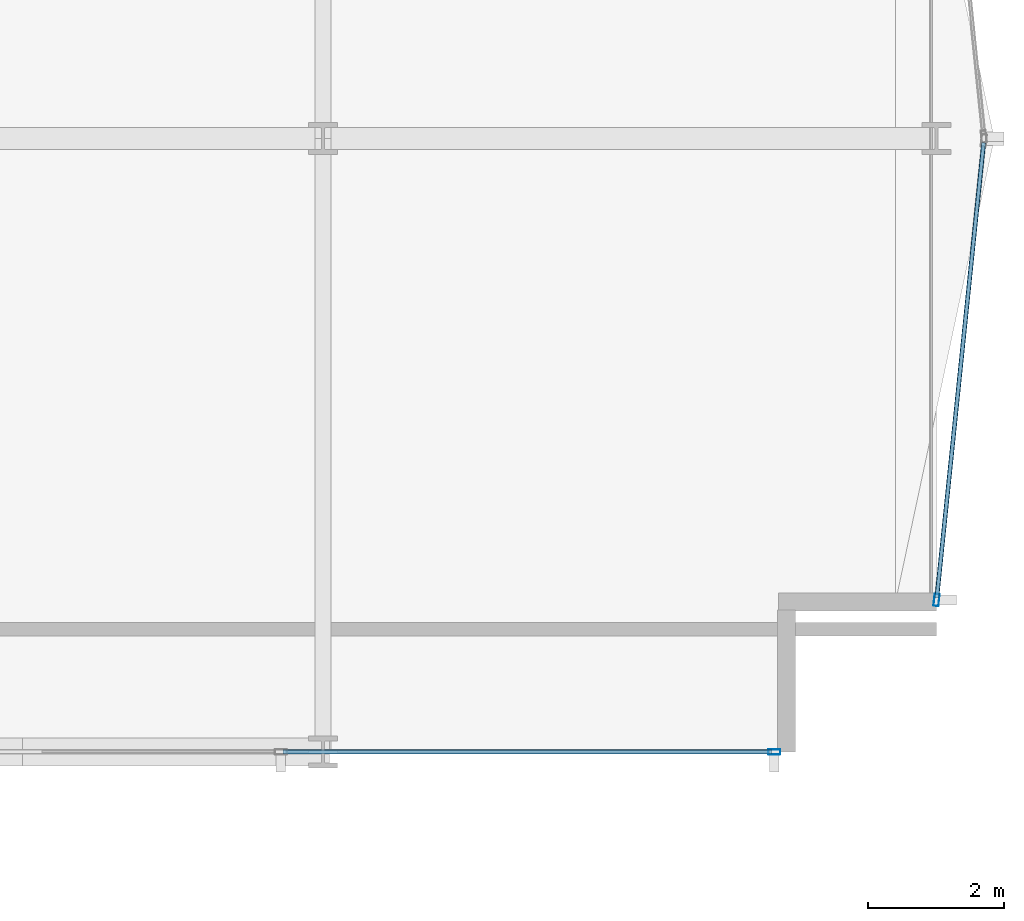
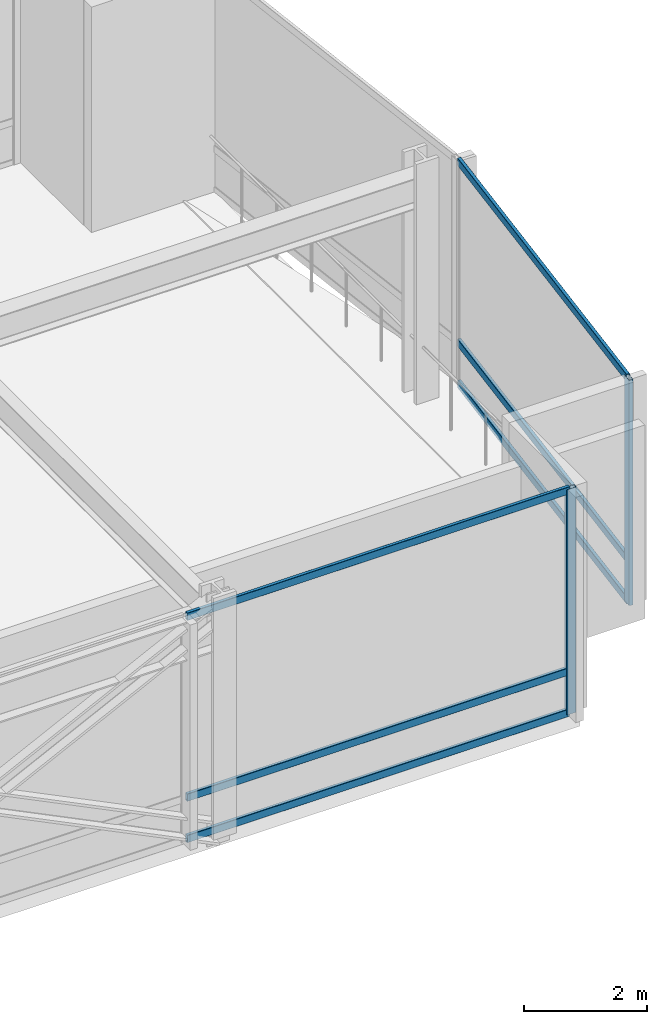
# One storey, part 14 of 42: 8 members, 2 elements without a shape of their own.
"""IFC4 building model written with IfcOpenShell, lengths in metres."""

from ifc_helpers import new_model, si_unit, direction, frame, origin, origin_2d, place, context, subcontext, project, spatial, hollow_rectangle, extrude, material, layer, layer_set, material_profile, profile_set, type_object, element, aggregate, save


model = new_model("IFC4")

# Units and contexts
model_context = context("Model", 3, precision=1e-05, world=origin(), true_north=direction((0.0, 1.0)))
body_context = subcontext(model_context, "Body", "Model", "MODEL_VIEW")
ifc_project = project(units=[si_unit("LENGTHUNIT", "METRE"), si_unit("AREAUNIT", "SQUARE_METRE"), si_unit("VOLUMEUNIT", "CUBIC_METRE"), si_unit("PLANEANGLEUNIT", "RADIAN"), si_unit("MASSUNIT", "GRAM", prefix="KILO")], contexts=[model_context])

# Site, building, storey
site_placement = place(None, origin())
site = spatial("IfcSite", under=ifc_project, at=site_placement, CompositionType="ELEMENT")
building_placement = place(site_placement, origin())
building = spatial("IfcBuilding", under=site, at=building_placement, Name="Solvaryn Broadcast Tower", CompositionType="ELEMENT")
storey_placement = place(building_placement, frame((0.0, 0.0, 100.199951171875)))
storey = spatial("IfcBuildingStorey", under=building, at=storey_placement, Name="L24", CompositionType="ELEMENT", Elevation=100.199951171875)

# Curtain wall, member
ifc_material_1 = material(Name="Aluminium and Terracotta Unitised Curtain Wall", Category="masonry")
ifc_layer = layer(ifc_material_1, 0.199951171875)
ifc_layer_set = layer_set([ifc_layer], Name="CW-SYS2-LOWMID")
curtain_wall_type = type_object("IfcCurtainWallType", Name="CW-SYS2-LOWMID", PredefinedType="NOTDEFINED", material=ifc_layer_set)
curtain_wall_1_placement = place(storey_placement, origin())
curtain_wall_1 = element("IfcCurtainWall", 1, at=curtain_wall_1_placement, inside=storey, type_object=curtain_wall_type, Name="L24 Curtain Wall S2", PredefinedType="NOTDEFINED")
ifc_material_2 = material(Name="Anodised Aluminium 6063-T6", Category="aluminium")
ifc_material_profile_1 = material_profile(ifc_material_2, hollow_rectangle(XDim=0.074951171875, YDim=0.179931640625, WallThickness=0.00390625, InnerFilletRadius=0.00390625, OuterFilletRadius=0.008056640625, at=origin_2d()))
ifc_profile_set_1 = profile_set([ifc_material_profile_1], Name="Anodised Aluminium 6063-T6")
member_type_1 = type_object("IfcMemberType", Name="CW-MUL-180", PredefinedType="MULLION", material=ifc_profile_set_1)
member_1_placement = place(storey_placement, frame((60.6201171875, 9.0, 0.0), z_axis=(0.0, 0.0, 1.0), x_axis=(0.0, 1.0, 0.0)))
member_1 = element("IfcMember", 2, at=member_1_placement, type_object=member_type_1, Name="CWS2 mullion 3", PredefinedType="MULLION", context=body_context, shape_type="SweptSolid", body=[
    extrude(hollow_rectangle(XDim=0.074951171875, YDim=0.179931640625, WallThickness=0.00390625, InnerFilletRadius=0.00390625, OuterFilletRadius=0.008056640625, at=origin_2d()), origin(), (0.0, 0.0, 1.0), 4.469970703125),
])

curtain_wall_2_placement = place(storey_placement, origin())
curtain_wall_2 = element("IfcCurtainWall", 3, at=curtain_wall_2_placement, inside=storey, type_object=curtain_wall_type, Name="L24 Curtain Wall ET2", PredefinedType="NOTDEFINED")
member_2_placement = place(storey_placement, frame((63.003173828125, 11.229736328125, 0.0), z_axis=(0.0, 0.0, 1.0), x_axis=(0.99474329889, -0.10240004548, 0.0)))
member_2 = element("IfcMember", 4, at=member_2_placement, type_object=member_type_1, Name="CWS2 mullion 2", PredefinedType="MULLION", context=body_context, shape_type="SweptSolid", body=[
    extrude(hollow_rectangle(XDim=0.074951171875, YDim=0.179931640625, WallThickness=0.00390625, InnerFilletRadius=0.00390625, OuterFilletRadius=0.008056640625, at=origin_2d()), origin(), (0.0, 0.0, 1.0), 4.469970703125),
])

# Member
ifc_material_3 = material(Name="Anodised Aluminium 6063-T6", Category="aluminium")
ifc_material_profile_2 = material_profile(ifc_material_3, hollow_rectangle(XDim=0.06494140625, YDim=0.14990234375, WallThickness=0.00390625, InnerFilletRadius=0.00390625, OuterFilletRadius=0.008056640625, at=origin_2d()))
ifc_profile_set_2 = profile_set([ifc_material_profile_2], Name="Anodised Aluminium 6063-T6")
member_type_2 = type_object("IfcMemberType", Name="CW-TRN-150", PredefinedType="USERDEFINED", material=ifc_profile_set_2)
member_3_placement = place(storey_placement, frame((53.4130859375, 9.0, 0.030029296875), z_axis=(1.0, 0.0, 0.0), x_axis=(0.0, 1.0, 0.0)))
member_3 = element("IfcMember", 5, at=member_3_placement, type_object=member_type_2, Name="CWS2 transom 2.1", ObjectType="TRANSOM", PredefinedType="USERDEFINED", context=body_context, shape_type="SweptSolid", body=[
    extrude(hollow_rectangle(XDim=0.06494140625, YDim=0.14990234375, WallThickness=0.00390625, InnerFilletRadius=0.00390625, OuterFilletRadius=0.008056640625, at=origin_2d()), origin(), (0.0, 0.0, 1.0), 7.177001953125),
])

member_4_placement = place(storey_placement, frame((53.4130859375, 9.0, 0.85009765625), z_axis=(1.0, 0.0, 0.0), x_axis=(0.0, 1.0, 0.0)))
member_4 = element("IfcMember", 6, at=member_4_placement, type_object=member_type_2, Name="CWS2 transom 2.2", ObjectType="TRANSOM", PredefinedType="USERDEFINED", context=body_context, shape_type="SweptSolid", body=[
    extrude(hollow_rectangle(XDim=0.06494140625, YDim=0.14990234375, WallThickness=0.00390625, InnerFilletRadius=0.00390625, OuterFilletRadius=0.008056640625, at=origin_2d()), origin(), (0.0, 0.0, 1.0), 7.177001953125),
])

member_5_placement = place(storey_placement, frame((53.4130859375, 9.0, 4.43994140625), z_axis=(1.0, 0.0, 0.0), x_axis=(0.0, 1.0, 0.0)))
member_5 = element("IfcMember", 7, at=member_5_placement, type_object=member_type_2, Name="CWS2 transom 2.3", ObjectType="TRANSOM", PredefinedType="USERDEFINED", context=body_context, shape_type="SweptSolid", body=[
    extrude(hollow_rectangle(XDim=0.06494140625, YDim=0.14990234375, WallThickness=0.00390625, InnerFilletRadius=0.00390625, OuterFilletRadius=0.008056640625, at=origin_2d()), origin(), (0.0, 0.0, 1.0), 7.177001953125),
])

aggregate(curtain_wall_1, [member_1, member_3, member_4, member_5])

member_6_placement = place(storey_placement, frame((63.69384765625, 17.9404296875, 0.030029296875), z_axis=(-0.102404277363, -0.994742863245, 0.0), x_axis=(0.994742863245, -0.102404277363, 0.0)))
member_6 = element("IfcMember", 8, at=member_6_placement, type_object=member_type_2, Name="CWS2 transom 1.1", ObjectType="TRANSOM", PredefinedType="USERDEFINED", context=body_context, shape_type="SweptSolid", body=[
    extrude(hollow_rectangle(XDim=0.06494140625, YDim=0.14990234375, WallThickness=0.00390625, InnerFilletRadius=0.00390625, OuterFilletRadius=0.008056640625, at=origin_2d()), origin(), (0.0, 0.0, 1.0), 6.716064453125),
])

member_7_placement = place(storey_placement, frame((63.69384765625, 17.9404296875, 0.85009765625), z_axis=(-0.102404277363, -0.994742863245, 0.0), x_axis=(0.994742863245, -0.102404277363, 0.0)))
member_7 = element("IfcMember", 9, at=member_7_placement, type_object=member_type_2, Name="CWS2 transom 1.2", ObjectType="TRANSOM", PredefinedType="USERDEFINED", context=body_context, shape_type="SweptSolid", body=[
    extrude(hollow_rectangle(XDim=0.06494140625, YDim=0.14990234375, WallThickness=0.00390625, InnerFilletRadius=0.00390625, OuterFilletRadius=0.008056640625, at=origin_2d()), origin(), (0.0, 0.0, 1.0), 6.716064453125),
])

member_8_placement = place(storey_placement, frame((63.69384765625, 17.9404296875, 4.43994140625), z_axis=(-0.102404277363, -0.994742863245, 0.0), x_axis=(0.994742863245, -0.102404277363, 0.0)))
member_8 = element("IfcMember", 10, at=member_8_placement, type_object=member_type_2, Name="CWS2 transom 1.3", ObjectType="TRANSOM", PredefinedType="USERDEFINED", context=body_context, shape_type="SweptSolid", body=[
    extrude(hollow_rectangle(XDim=0.06494140625, YDim=0.14990234375, WallThickness=0.00390625, InnerFilletRadius=0.00390625, OuterFilletRadius=0.008056640625, at=origin_2d()), origin(), (0.0, 0.0, 1.0), 6.716064453125),
])

aggregate(curtain_wall_2, [member_2, member_6, member_7, member_8])

save(model, "model.ifc")
